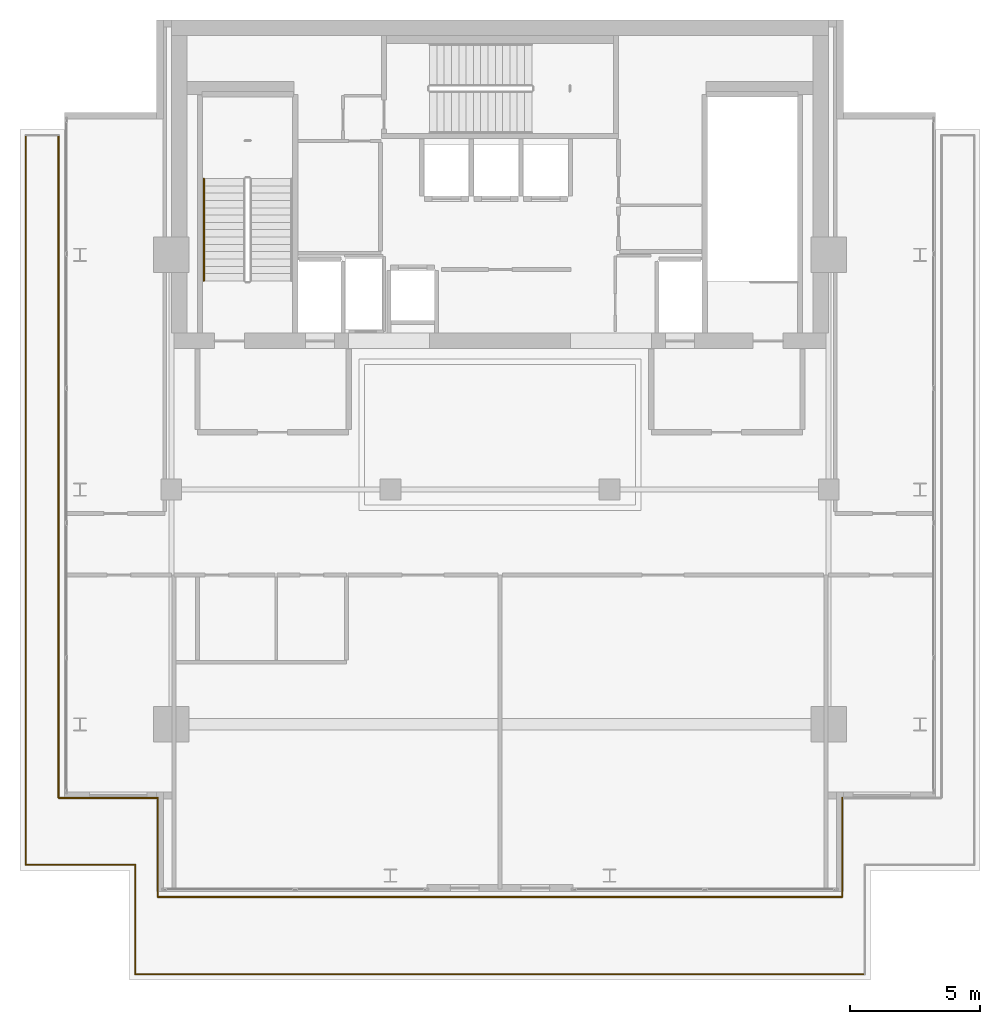
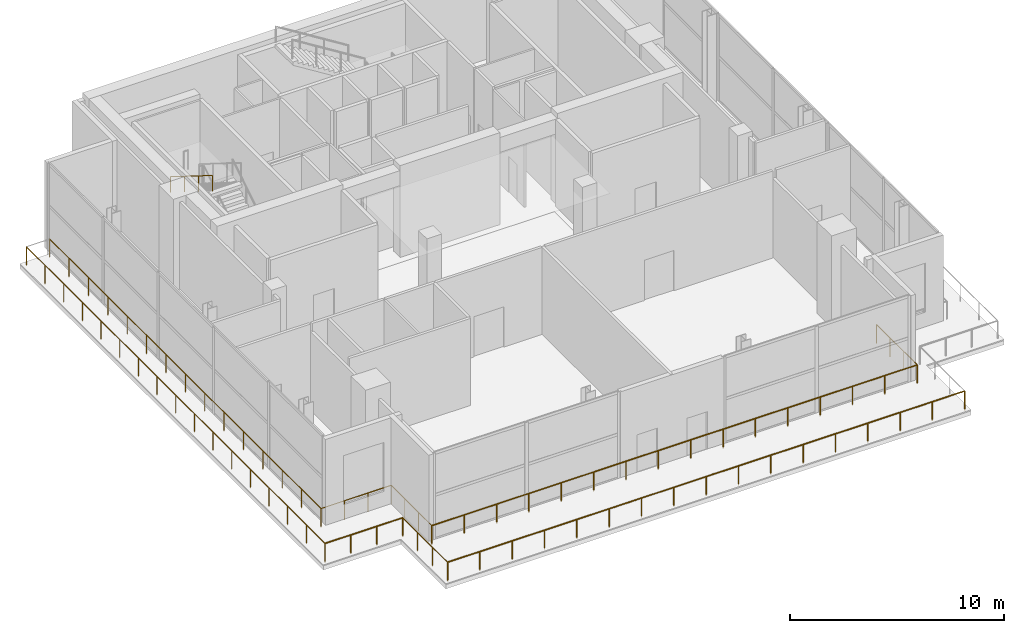
# One storey, part 16 of 19: 10 railings.
"""IFC4 building model written with IfcOpenShell, lengths in metres."""

from ifc_helpers import new_model, si_unit, direction, frame, origin, origin_2d, place, context, subcontext, project, spatial, circle, extrude, material, type_object, element, save


model = new_model("IFC4")

# Units and contexts
model_context = context("Model", 3, precision=1e-05, world=origin(), true_north=direction((0.0, 1.0)))
body_context = subcontext(model_context, "Body", "Model", "MODEL_VIEW")
ifc_project = project(units=[si_unit("LENGTHUNIT", "METRE"), si_unit("AREAUNIT", "SQUARE_METRE"), si_unit("VOLUMEUNIT", "CUBIC_METRE"), si_unit("PLANEANGLEUNIT", "RADIAN"), si_unit("MASSUNIT", "GRAM", prefix="KILO")], contexts=[model_context])

# Site, building, storey
site_placement = place(None, origin())
site = spatial("IfcSite", under=ifc_project, at=site_placement, CompositionType="ELEMENT")
building_placement = place(site_placement, origin())
building = spatial("IfcBuilding", under=site, at=building_placement, Name="Maruvema Waterfront Hotel and Observation Tower", CompositionType="ELEMENT")
storey_placement = place(building_placement, frame((0.0, 0.0, 359.10009765625)))
storey = spatial("IfcBuildingStorey", under=building, at=storey_placement, Name="L88", CompositionType="ELEMENT", Elevation=359.10009765625)

# Railings
ifc_material_1 = material(Name="Brushed stainless steel Grade 316", Category="steel")
railing_type_1 = type_object("IfcRailingType", Name="Ramp Continuous Wall Handrail 920 mm", PredefinedType="HANDRAIL", material=ifc_material_1)
railing_1_placement = place(storey_placement, frame((26.449951171875, 47.919921875, 2.7998046875)))
element("IfcRailing", 1, at=railing_1_placement, inside=storey, type_object=railing_type_1, Name="L88 ST-01 stair handrail 2", PredefinedType="HANDRAIL", context=body_context, shape_type="SweptSolid", body=[
    extrude(circle(Radius=0.02392578125, at=origin_2d()), frame((0.0, 0.0, 0.89599609375), z_axis=(0.0, -0.847974566722, 0.530036917764), x_axis=(1.0, 0.0, 0.0)), (0.0, 0.0, 1.0), 4.622802734375),
    extrude(circle(Radius=0.02099609375, at=origin_2d()), origin(), (0.0, 0.0, 1.0), 0.871826171875),
    extrude(circle(Radius=0.02099609375, at=origin_2d()), frame((0.0, -1.306640625, 0.816650390625)), (0.0, 0.0, 1.0), 0.871826171875),
    extrude(circle(Radius=0.02099609375, at=origin_2d()), frame((0.0, -2.61328125, 1.633544921875)), (0.0, 0.0, 1.0), 0.871826171875),
    extrude(circle(Radius=0.02099609375, at=origin_2d()), frame((0.0, -3.919921875, 2.4501953125)), (0.0, 0.0, 1.0), 0.871826171875),
])
ifc_material_2 = material(Name="Brushed stainless steel Grade 316", Category="steel")
railing_type_2 = type_object("IfcRailingType", Name="Ramp and Terrace Guard Balustrade 1100 mm", PredefinedType="BALUSTRADE", material=ifc_material_2)
railing_2_placement = place(storey_placement, frame((51.780029296875, 17.419921875, 0.0)))
element("IfcRailing", 2, at=railing_2_placement, inside=storey, type_object=railing_type_2, Name="L88 Perimeter Safety Balustrade 4", PredefinedType="BALUSTRADE", context=body_context, shape_type="SweptSolid", body=[
    extrude(circle(Radius=0.02392578125, at=origin_2d()), frame((0.0, 0.0, 1.076171875), z_axis=(-1.0, 0.0, 0.0), x_axis=(0.0, -1.0, 0.0)), (0.0, 0.0, 1.0), 27.9599609375),
    extrude(circle(Radius=0.02099609375, at=origin_2d()), origin(), (0.0, 0.0, 1.0), 1.052001953125),
    extrude(circle(Radius=0.02099609375, at=origin_2d()), frame((-1.74755859375, 0.0, 0.0)), (0.0, 0.0, 1.0), 1.052001953125),
    extrude(circle(Radius=0.02099609375, at=origin_2d()), frame((-3.4951171875, 0.0, 0.0)), (0.0, 0.0, 1.0), 1.052001953125),
    extrude(circle(Radius=0.02099609375, at=origin_2d()), frame((-5.242431640625, 0.0, 0.0)), (0.0, 0.0, 1.0), 1.052001953125),
    extrude(circle(Radius=0.02099609375, at=origin_2d()), frame((-6.989990234375, 0.0, 0.0)), (0.0, 0.0, 1.0), 1.052001953125),
    extrude(circle(Radius=0.02099609375, at=origin_2d()), frame((-8.737548828125, 0.0, 0.0)), (0.0, 0.0, 1.0), 1.052001953125),
    extrude(circle(Radius=0.02099609375, at=origin_2d()), frame((-10.48486328125, 0.0, 0.0)), (0.0, 0.0, 1.0), 1.052001953125),
    extrude(circle(Radius=0.02099609375, at=origin_2d()), frame((-12.232421875, 0.0, 0.0)), (0.0, 0.0, 1.0), 1.052001953125),
    extrude(circle(Radius=0.02099609375, at=origin_2d()), frame((-13.97998046875, 0.0, 0.0)), (0.0, 0.0, 1.0), 1.052001953125),
    extrude(circle(Radius=0.02099609375, at=origin_2d()), frame((-15.7275390625, 0.0, 0.0)), (0.0, 0.0, 1.0), 1.052001953125),
    extrude(circle(Radius=0.02099609375, at=origin_2d()), frame((-17.47509765625, 0.0, 0.0)), (0.0, 0.0, 1.0), 1.052001953125),
    extrude(circle(Radius=0.02099609375, at=origin_2d()), frame((-19.222412109375, 0.0, 0.0)), (0.0, 0.0, 1.0), 1.052001953125),
    extrude(circle(Radius=0.02099609375, at=origin_2d()), frame((-20.969970703125, 0.0, 0.0)), (0.0, 0.0, 1.0), 1.052001953125),
    extrude(circle(Radius=0.02099609375, at=origin_2d()), frame((-22.717529296875, 0.0, 0.0)), (0.0, 0.0, 1.0), 1.052001953125),
    extrude(circle(Radius=0.02099609375, at=origin_2d()), frame((-24.46484375, 0.0, 0.0)), (0.0, 0.0, 1.0), 1.052001953125),
    extrude(circle(Radius=0.02099609375, at=origin_2d()), frame((-26.21240234375, 0.0, 0.0)), (0.0, 0.0, 1.0), 1.052001953125),
    extrude(circle(Radius=0.02099609375, at=origin_2d()), frame((-27.9599609375, 0.0, 0.0)), (0.0, 0.0, 1.0), 1.052001953125),
])
railing_3_placement = place(storey_placement, frame((23.820068359375, 17.419921875, 0.0)))
element("IfcRailing", 3, at=railing_3_placement, inside=storey, type_object=railing_type_2, Name="L88 Perimeter Safety Balustrade 5", PredefinedType="BALUSTRADE", context=body_context, shape_type="SweptSolid", body=[
    extrude(circle(Radius=0.02392578125, at=origin_2d()), frame((0.0, 0.0, 1.076171875), z_axis=(0.0, 1.0, 0.0), x_axis=(-1.0, 0.0, 0.0)), (0.0, 0.0, 1.0), 4.2001953125),
    extrude(circle(Radius=0.02099609375, at=origin_2d()), origin(), (0.0, 0.0, 1.0), 1.052001953125),
    extrude(circle(Radius=0.02099609375, at=origin_2d()), frame((0.0, 1.400146484375, 0.0)), (0.0, 0.0, 1.0), 1.052001953125),
    extrude(circle(Radius=0.02099609375, at=origin_2d()), frame((0.0, 2.800048828125, 0.0)), (0.0, 0.0, 1.0), 1.052001953125),
    extrude(circle(Radius=0.02099609375, at=origin_2d()), frame((0.0, 4.2001953125, 0.0)), (0.0, 0.0, 1.0), 1.052001953125),
])
railing_4_placement = place(storey_placement, frame((23.820068359375, 21.6201171875, 0.0)))
element("IfcRailing", 4, at=railing_4_placement, inside=storey, type_object=railing_type_2, Name="L88 Perimeter Safety Balustrade 6", PredefinedType="BALUSTRADE", context=body_context, shape_type="SweptSolid", body=[
    extrude(circle(Radius=0.02392578125, at=origin_2d()), frame((0.0, 0.0, 1.076171875), z_axis=(-1.0, 0.0, 0.0), x_axis=(0.0, -1.0, 0.0)), (0.0, 0.0, 1.0), 4.199951171875),
    extrude(circle(Radius=0.02099609375, at=origin_2d()), origin(), (0.0, 0.0, 1.0), 1.052001953125),
    extrude(circle(Radius=0.02099609375, at=origin_2d()), frame((-1.39990234375, 0.0, 0.0)), (0.0, 0.0, 1.0), 1.052001953125),
    extrude(circle(Radius=0.02099609375, at=origin_2d()), frame((-2.800048828125, 0.0, 0.0)), (0.0, 0.0, 1.0), 1.052001953125),
    extrude(circle(Radius=0.02099609375, at=origin_2d()), frame((-4.199951171875, 0.0, 0.0)), (0.0, 0.0, 1.0), 1.052001953125),
])
railing_5_placement = place(storey_placement, frame((19.6201171875, 21.6201171875, 0.0)))
element("IfcRailing", 5, at=railing_5_placement, inside=storey, type_object=railing_type_2, Name="L88 Perimeter Safety Balustrade 7", PredefinedType="BALUSTRADE", context=body_context, shape_type="SweptSolid", body=[
    extrude(circle(Radius=0.02392578125, at=origin_2d()), frame((0.0, 0.0, 1.076171875), z_axis=(0.0, 1.0, 0.0), x_axis=(-1.0, 0.0, 0.0)), (0.0, 0.0, 1.0), 27.9599609375),
    extrude(circle(Radius=0.02099609375, at=origin_2d()), origin(), (0.0, 0.0, 1.0), 1.052001953125),
    extrude(circle(Radius=0.02099609375, at=origin_2d()), frame((0.0, 1.74755859375, 0.0)), (0.0, 0.0, 1.0), 1.052001953125),
    extrude(circle(Radius=0.02099609375, at=origin_2d()), frame((0.0, 3.4951171875, 0.0)), (0.0, 0.0, 1.0), 1.052001953125),
    extrude(circle(Radius=0.02099609375, at=origin_2d()), frame((0.0, 5.242431640625, 0.0)), (0.0, 0.0, 1.0), 1.052001953125),
    extrude(circle(Radius=0.02099609375, at=origin_2d()), frame((0.0, 6.989990234375, 0.0)), (0.0, 0.0, 1.0), 1.052001953125),
    extrude(circle(Radius=0.02099609375, at=origin_2d()), frame((0.0, 8.737548828125, 0.0)), (0.0, 0.0, 1.0), 1.052001953125),
    extrude(circle(Radius=0.02099609375, at=origin_2d()), frame((0.0, 10.48486328125, 0.0)), (0.0, 0.0, 1.0), 1.052001953125),
    extrude(circle(Radius=0.02099609375, at=origin_2d()), frame((0.0, 12.232421875, 0.0)), (0.0, 0.0, 1.0), 1.052001953125),
    extrude(circle(Radius=0.02099609375, at=origin_2d()), frame((0.0, 13.97998046875, 0.0)), (0.0, 0.0, 1.0), 1.052001953125),
    extrude(circle(Radius=0.02099609375, at=origin_2d()), frame((0.0, 15.7275390625, 0.0)), (0.0, 0.0, 1.0), 1.052001953125),
    extrude(circle(Radius=0.02099609375, at=origin_2d()), frame((0.0, 17.47509765625, 0.0)), (0.0, 0.0, 1.0), 1.052001953125),
    extrude(circle(Radius=0.02099609375, at=origin_2d()), frame((0.0, 19.222412109375, 0.0)), (0.0, 0.0, 1.0), 1.052001953125),
    extrude(circle(Radius=0.02099609375, at=origin_2d()), frame((0.0, 20.969970703125, 0.0)), (0.0, 0.0, 1.0), 1.052001953125),
    extrude(circle(Radius=0.02099609375, at=origin_2d()), frame((0.0, 22.717529296875, 0.0)), (0.0, 0.0, 1.0), 1.052001953125),
    extrude(circle(Radius=0.02099609375, at=origin_2d()), frame((0.0, 24.46484375, 0.0)), (0.0, 0.0, 1.0), 1.052001953125),
    extrude(circle(Radius=0.02099609375, at=origin_2d()), frame((0.0, 26.21240234375, 0.0)), (0.0, 0.0, 1.0), 1.052001953125),
    extrude(circle(Radius=0.02099609375, at=origin_2d()), frame((0.0, 27.9599609375, 0.0)), (0.0, 0.0, 1.0), 1.052001953125),
])
railing_6_placement = place(storey_placement, frame((20.8798828125, 49.580078125, 0.0)))
element("IfcRailing", 6, at=railing_6_placement, inside=storey, type_object=railing_type_2, Name="L88 Perimeter Safety Balustrade 9", PredefinedType="BALUSTRADE", context=body_context, shape_type="SweptSolid", body=[
    extrude(circle(Radius=0.02392578125, at=origin_2d()), frame((0.0, 0.0, 1.076171875), z_axis=(0.0, -1.0, 0.0), x_axis=(1.0, 0.0, 0.0)), (0.0, 0.0, 1.0), 25.400146484375),
    extrude(circle(Radius=0.02099609375, at=origin_2d()), origin(), (0.0, 0.0, 1.0), 1.052001953125),
    extrude(circle(Radius=0.02099609375, at=origin_2d()), frame((0.0, -1.814208984375, 0.0)), (0.0, 0.0, 1.0), 1.052001953125),
    extrude(circle(Radius=0.02099609375, at=origin_2d()), frame((0.0, -3.628662109375, 0.0)), (0.0, 0.0, 1.0), 1.052001953125),
    extrude(circle(Radius=0.02099609375, at=origin_2d()), frame((0.0, -5.44287109375, 0.0)), (0.0, 0.0, 1.0), 1.052001953125),
    extrude(circle(Radius=0.02099609375, at=origin_2d()), frame((0.0, -7.257080078125, 0.0)), (0.0, 0.0, 1.0), 1.052001953125),
    extrude(circle(Radius=0.02099609375, at=origin_2d()), frame((0.0, -9.071533203125, 0.0)), (0.0, 0.0, 1.0), 1.052001953125),
    extrude(circle(Radius=0.02099609375, at=origin_2d()), frame((0.0, -10.8857421875, 0.0)), (0.0, 0.0, 1.0), 1.052001953125),
    extrude(circle(Radius=0.02099609375, at=origin_2d()), frame((0.0, -12.7001953125, 0.0)), (0.0, 0.0, 1.0), 1.052001953125),
    extrude(circle(Radius=0.02099609375, at=origin_2d()), frame((0.0, -14.514404296875, 0.0)), (0.0, 0.0, 1.0), 1.052001953125),
    extrude(circle(Radius=0.02099609375, at=origin_2d()), frame((0.0, -16.32861328125, 0.0)), (0.0, 0.0, 1.0), 1.052001953125),
    extrude(circle(Radius=0.02099609375, at=origin_2d()), frame((0.0, -18.14306640625, 0.0)), (0.0, 0.0, 1.0), 1.052001953125),
    extrude(circle(Radius=0.02099609375, at=origin_2d()), frame((0.0, -19.957275390625, 0.0)), (0.0, 0.0, 1.0), 1.052001953125),
    extrude(circle(Radius=0.02099609375, at=origin_2d()), frame((0.0, -21.771484375, 0.0)), (0.0, 0.0, 1.0), 1.052001953125),
    extrude(circle(Radius=0.02099609375, at=origin_2d()), frame((0.0, -23.5859375, 0.0)), (0.0, 0.0, 1.0), 1.052001953125),
    extrude(circle(Radius=0.02099609375, at=origin_2d()), frame((0.0, -25.400146484375, 0.0)), (0.0, 0.0, 1.0), 1.052001953125),
])
railing_7_placement = place(storey_placement, frame((20.8798828125, 24.179931640625, 0.0)))
element("IfcRailing", 7, at=railing_7_placement, inside=storey, type_object=railing_type_2, Name="L88 Perimeter Safety Balustrade 10", PredefinedType="BALUSTRADE", context=body_context, shape_type="SweptSolid", body=[
    extrude(circle(Radius=0.02392578125, at=origin_2d()), frame((0.0, 0.0, 1.076171875), z_axis=(1.0, 0.0, 0.0), x_axis=(0.0, 1.0, 0.0)), (0.0, 0.0, 1.0), 3.800048828125),
    extrude(circle(Radius=0.02099609375, at=origin_2d()), origin(), (0.0, 0.0, 1.0), 1.052001953125),
    extrude(circle(Radius=0.02099609375, at=origin_2d()), frame((1.2666015625, 0.0, 0.0)), (0.0, 0.0, 1.0), 1.052001953125),
    extrude(circle(Radius=0.02099609375, at=origin_2d()), frame((2.533447265625, 0.0, 0.0)), (0.0, 0.0, 1.0), 1.052001953125),
    extrude(circle(Radius=0.02099609375, at=origin_2d()), frame((3.800048828125, 0.0, 0.0)), (0.0, 0.0, 1.0), 1.052001953125),
])
railing_8_placement = place(storey_placement, frame((24.679931640625, 24.179931640625, 0.0)))
element("IfcRailing", 8, at=railing_8_placement, inside=storey, type_object=railing_type_2, Name="L88 Perimeter Safety Balustrade 11", PredefinedType="BALUSTRADE", context=body_context, shape_type="SweptSolid", body=[
    extrude(circle(Radius=0.02392578125, at=origin_2d()), frame((0.0, 0.0, 1.076171875), z_axis=(0.0, -1.0, 0.0), x_axis=(1.0, 0.0, 0.0)), (0.0, 0.0, 1.0), 3.800048828125),
    extrude(circle(Radius=0.02099609375, at=origin_2d()), origin(), (0.0, 0.0, 1.0), 1.052001953125),
    extrude(circle(Radius=0.02099609375, at=origin_2d()), frame((0.0, -1.2666015625, 0.0)), (0.0, 0.0, 1.0), 1.052001953125),
    extrude(circle(Radius=0.02099609375, at=origin_2d()), frame((0.0, -2.533447265625, 0.0)), (0.0, 0.0, 1.0), 1.052001953125),
    extrude(circle(Radius=0.02099609375, at=origin_2d()), frame((0.0, -3.800048828125, 0.0)), (0.0, 0.0, 1.0), 1.052001953125),
])
railing_9_placement = place(storey_placement, frame((24.679931640625, 20.3798828125, 0.0)))
element("IfcRailing", 9, at=railing_9_placement, inside=storey, type_object=railing_type_2, Name="L88 Perimeter Safety Balustrade 12", PredefinedType="BALUSTRADE", context=body_context, shape_type="SweptSolid", body=[
    extrude(circle(Radius=0.02392578125, at=origin_2d()), frame((0.0, 0.0, 1.076171875), z_axis=(1.0, 0.0, 0.0), x_axis=(0.0, 1.0, 0.0)), (0.0, 0.0, 1.0), 26.239990234375),
    extrude(circle(Radius=0.02099609375, at=origin_2d()), origin(), (0.0, 0.0, 1.0), 1.052001953125),
    extrude(circle(Radius=0.02099609375, at=origin_2d()), frame((1.749267578125, 0.0, 0.0)), (0.0, 0.0, 1.0), 1.052001953125),
    extrude(circle(Radius=0.02099609375, at=origin_2d()), frame((3.498779296875, 0.0, 0.0)), (0.0, 0.0, 1.0), 1.052001953125),
    extrude(circle(Radius=0.02099609375, at=origin_2d()), frame((5.248046875, 0.0, 0.0)), (0.0, 0.0, 1.0), 1.052001953125),
    extrude(circle(Radius=0.02099609375, at=origin_2d()), frame((6.997314453125, 0.0, 0.0)), (0.0, 0.0, 1.0), 1.052001953125),
    extrude(circle(Radius=0.02099609375, at=origin_2d()), frame((8.74658203125, 0.0, 0.0)), (0.0, 0.0, 1.0), 1.052001953125),
    extrude(circle(Radius=0.02099609375, at=origin_2d()), frame((10.49609375, 0.0, 0.0)), (0.0, 0.0, 1.0), 1.052001953125),
    extrude(circle(Radius=0.02099609375, at=origin_2d()), frame((12.245361328125, 0.0, 0.0)), (0.0, 0.0, 1.0), 1.052001953125),
    extrude(circle(Radius=0.02099609375, at=origin_2d()), frame((13.99462890625, 0.0, 0.0)), (0.0, 0.0, 1.0), 1.052001953125),
    extrude(circle(Radius=0.02099609375, at=origin_2d()), frame((15.743896484375, 0.0, 0.0)), (0.0, 0.0, 1.0), 1.052001953125),
    extrude(circle(Radius=0.02099609375, at=origin_2d()), frame((17.493408203125, 0.0, 0.0)), (0.0, 0.0, 1.0), 1.052001953125),
    extrude(circle(Radius=0.02099609375, at=origin_2d()), frame((19.24267578125, 0.0, 0.0)), (0.0, 0.0, 1.0), 1.052001953125),
    extrude(circle(Radius=0.02099609375, at=origin_2d()), frame((20.991943359375, 0.0, 0.0)), (0.0, 0.0, 1.0), 1.052001953125),
    extrude(circle(Radius=0.02099609375, at=origin_2d()), frame((22.7412109375, 0.0, 0.0)), (0.0, 0.0, 1.0), 1.052001953125),
    extrude(circle(Radius=0.02099609375, at=origin_2d()), frame((24.49072265625, 0.0, 0.0)), (0.0, 0.0, 1.0), 1.052001953125),
    extrude(circle(Radius=0.02099609375, at=origin_2d()), frame((26.239990234375, 0.0, 0.0)), (0.0, 0.0, 1.0), 1.052001953125),
])
railing_10_placement = place(storey_placement, frame((50.919921875, 20.3798828125, 0.0)))
element("IfcRailing", 10, at=railing_10_placement, inside=storey, type_object=railing_type_2, Name="L88 Perimeter Safety Balustrade 13", PredefinedType="BALUSTRADE", context=body_context, shape_type="SweptSolid", body=[
    extrude(circle(Radius=0.02392578125, at=origin_2d()), frame((0.0, 0.0, 1.076171875), z_axis=(0.0, 1.0, 0.0), x_axis=(-1.0, 0.0, 0.0)), (0.0, 0.0, 1.0), 3.800048828125),
    extrude(circle(Radius=0.02099609375, at=origin_2d()), origin(), (0.0, 0.0, 1.0), 1.052001953125),
    extrude(circle(Radius=0.02099609375, at=origin_2d()), frame((0.0, 1.2666015625, 0.0)), (0.0, 0.0, 1.0), 1.052001953125),
    extrude(circle(Radius=0.02099609375, at=origin_2d()), frame((0.0, 2.533447265625, 0.0)), (0.0, 0.0, 1.0), 1.052001953125),
    extrude(circle(Radius=0.02099609375, at=origin_2d()), frame((0.0, 3.800048828125, 0.0)), (0.0, 0.0, 1.0), 1.052001953125),
])

save(model, "model.ifc")
